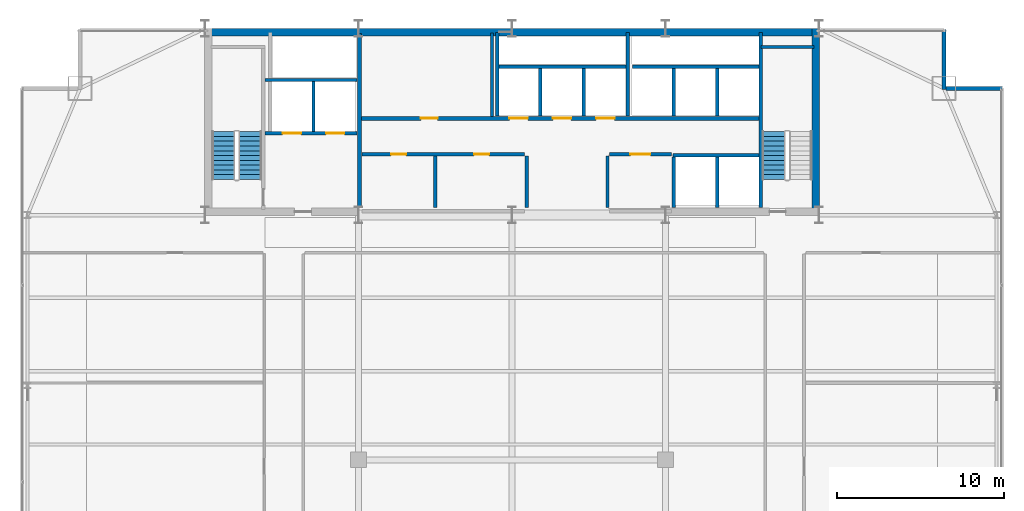
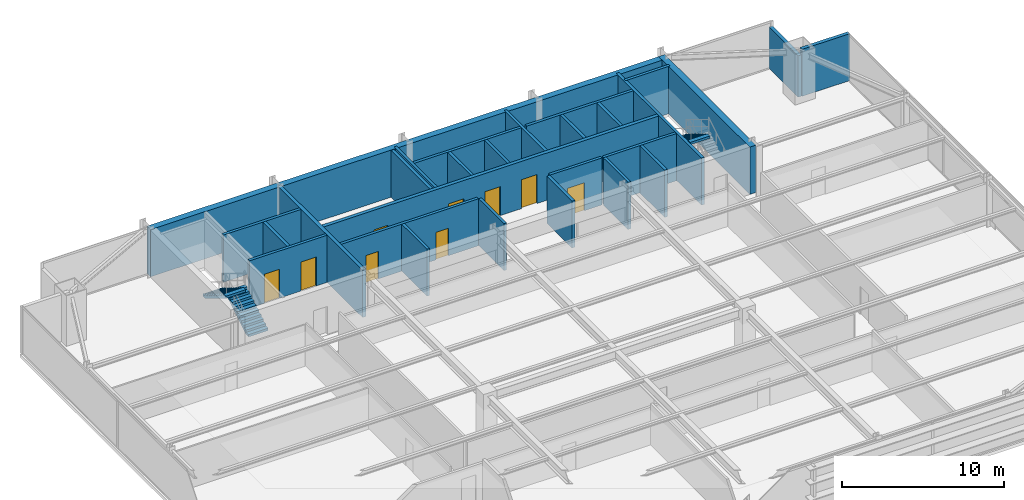
# One storey, part 30 of 33: 28 walls, 9 doors, 3 stair flights, 9 openings, 2 elements without a shape of their own.
"""IFC4 building model written with IfcOpenShell, lengths in metres."""

from ifc_helpers import new_model, si_unit, direction, frame, frame_2d, origin, place, context, subcontext, project, spatial, polyline, rectangle, outline, extrude, source, transform, mapped, material, layer, layer_set, type_object, type_shapes, element, fill, aggregate, save


model = new_model("IFC4")

# Units and contexts
model_context = context("Model", 3, precision=1e-05, world=origin(), true_north=direction((0.0, 1.0)))
body_context = subcontext(model_context, "Body", "Model", "MODEL_VIEW")
ifc_project = project(units=[si_unit("LENGTHUNIT", "METRE"), si_unit("AREAUNIT", "SQUARE_METRE"), si_unit("VOLUMEUNIT", "CUBIC_METRE"), si_unit("PLANEANGLEUNIT", "RADIAN"), si_unit("MASSUNIT", "GRAM", prefix="KILO")], contexts=[model_context])

# Site, building, storey
site_placement = place(None, origin())
site = spatial("IfcSite", under=ifc_project, at=site_placement, CompositionType="ELEMENT")
building_placement = place(site_placement, origin())
building = spatial("IfcBuilding", under=site, at=building_placement, Name="Varnel Quay Broadcast Tower", CompositionType="ELEMENT")
storey_placement = place(building_placement, frame((0.0, 0.0, 129.60009765625)))
storey = spatial("IfcBuildingStorey", under=building, at=storey_placement, Name="L31", CompositionType="ELEMENT", Elevation=129.60009765625)

# Wall, openings, doors
ifc_material_1 = material(Name="Concrete CSA A23.3 C50/60", Category="concrete")
ifc_layer_1 = layer(ifc_material_1, 0.199951171875, Name="Concrete CSA A23.3 C50/60")
ifc_layer_set_1 = layer_set([ifc_layer_1], Name="Concrete CSA A23.3 C50/60")
wall_type_1 = type_object("IfcWallType", Name="Wall_CoreShaftShear200", PredefinedType="SHEAR", material=ifc_layer_set_1)
wall_1_placement = place(storey_placement, frame((19.199951171875, 40.5, 0.0), z_axis=(0.0, 0.0, 1.0), x_axis=(1.0, 0.0, 0.0)))
wall_1 = element("IfcWall", 1, at=wall_1_placement, inside=storey, type_object=wall_type_1, Name="L31 Firefighter Lift Shaft Front Wall", PredefinedType="SHEAR", context=body_context, shape_type="SweptSolid", body=[
    extrude(rectangle(XDim=5.52001953125, YDim=0.199951171875, at=frame_2d((2.760009765625, 0.0))), origin(), (0.0, 0.0, 1.0), 3.5498046875),
])
opening_1_placement = place(wall_1_placement, frame((1.050048828125, 0.0, 0.0)))
opening_1 = element("IfcOpeningElement", 2, at=opening_1_placement, cuts=wall_1, Name="Opening LD-L31-FE1", PredefinedType="OPENING", context=body_context, shape_type="SweptSolid", body=[
    extrude(rectangle(XDim=1.10009765625, YDim=2.179931640625, at=frame_2d((0.550048828125, 1.08984375))), frame((0.0, 0.10986328125, 0.0), z_axis=(0.0, -1.0, 0.0), x_axis=(1.0, 0.0, 0.0)), (0.0, 0.0, 1.0), 0.219970703125),
])
opening_2_placement = place(wall_1_placement, frame((3.64990234375, 0.0, 0.0)))
opening_2 = element("IfcOpeningElement", 3, at=opening_2_placement, cuts=wall_1, Name="Opening LD-L31-FE2", PredefinedType="OPENING", context=body_context, shape_type="SweptSolid", body=[
    extrude(rectangle(XDim=1.10009765625, YDim=2.179931640625, at=frame_2d((0.550048828125, 1.08984375))), frame((0.0, 0.10986328125, 0.0), z_axis=(0.0, -1.0, 0.0), x_axis=(1.0, 0.0, 0.0)), (0.0, 0.0, 1.0), 0.219970703125),
])
ifc_material_2 = material(Name="Brushed Bronze-Stainless Lift Car & Sliding Doors", Category="steel")
door_type_1 = type_object("IfcDoorType", Name="Door_LiftLanding1100", OperationType="SLIDING_TO_LEFT", PredefinedType="DOOR", material=ifc_material_2)
shared_shape_1 = source(origin(), body_context, "Body", "SweptSolid", [
    extrude(rectangle(XDim=1.10009765625, YDim=2.179931640625, at=frame_2d((0.550048828125, 1.08984375))), frame((0.0, 0.02490234375, 0.0), z_axis=(0.0, -1.0, 0.0), x_axis=(1.0, 0.0, 0.0)), (0.0, 0.0, 1.0), 0.050048828125),
])
type_shapes(door_type_1, [shared_shape_1])
door_1_placement = place(opening_1_placement, frame((1.10009765625, 0.0, 0.0), z_axis=(0.0, 0.0, 1.0), x_axis=(-1.0, 0.0, 0.0)))
door_1 = element("IfcDoor", 4, at=door_1_placement, inside=storey, type_object=door_type_1, Name="L31 Firefighter Lift FE-01 Landing Door", OperationType="SLIDING_TO_LEFT", OverallHeight=2.179931640625, OverallWidth=1.10009765625, PredefinedType="DOOR", context=body_context, shape_type="MappedRepresentation", body=[
    mapped(shared_shape_1, transform((0.0, 0.0, 0.0), x_axis=(1.0, 0.0, 0.0), y_axis=(0.0, 1.0, 0.0), z_axis=(0.0, 0.0, 1.0), scale=1.0)),
])
fill(opening_1, door_1)
door_2_placement = place(opening_2_placement, frame((1.10009765625, 0.0, 0.0), z_axis=(0.0, 0.0, 1.0), x_axis=(-1.0, 0.0, 0.0)))
door_2 = element("IfcDoor", 5, at=door_2_placement, inside=storey, type_object=door_type_1, Name="L31 Firefighter Lift FE-02 Landing Door", OperationType="SLIDING_TO_RIGHT", OverallHeight=2.179931640625, OverallWidth=1.10009765625, PredefinedType="DOOR", context=body_context, shape_type="MappedRepresentation", body=[
    mapped(shared_shape_1, transform((0.0, 0.0, 0.0), x_axis=(1.0, 0.0, 0.0), y_axis=(0.0, 1.0, 0.0), z_axis=(0.0, 0.0, 1.0), scale=1.0)),
])
fill(opening_2, door_2)

# Walls
wall_2_placement = place(storey_placement, frame((19.199951171875, 43.699951171875, 0.0), z_axis=(0.0, 0.0, 1.0), x_axis=(1.0, 0.0, 0.0)))
element("IfcWall", 6, at=wall_2_placement, inside=storey, type_object=wall_type_1, Name="L31 Firefighter Lift Shaft Rear Wall", PredefinedType="SHEAR", context=body_context, shape_type="SweptSolid", body=[
    extrude(rectangle(XDim=5.52001953125, YDim=0.199951171875, at=frame_2d((2.760009765625, 0.0))), origin(), (0.0, 0.0, 1.0), 3.5498046875),
])
wall_3_placement = place(storey_placement, frame((22.10009765625, 40.60009765625, 0.0), z_axis=(0.0, 0.0, 1.0), x_axis=(0.0, 1.0, 0.0)))
element("IfcWall", 7, at=wall_3_placement, inside=storey, type_object=wall_type_1, Name="L31 Firefighter Lift Shaft Divider", PredefinedType="SHEAR", context=body_context, shape_type="SweptSolid", body=[
    extrude(rectangle(XDim=3.0, YDim=0.199951171875, at=frame_2d((1.5, 0.0))), origin(), (0.0, 0.0, 1.0), 3.5498046875),
])
wall_4_placement = place(storey_placement, frame((48.919921875, 36.050048828125, 0.0), z_axis=(0.0, 0.0, 1.0), x_axis=(0.0, 1.0, 0.0)))
element("IfcWall", 8, at=wall_4_placement, inside=storey, type_object=wall_type_1, Name="L31 Stair 2 West Structural Wall", PredefinedType="SHEAR", context=body_context, shape_type="SweptSolid", body=[
    extrude(rectangle(XDim=10.5, YDim=0.199951171875, at=frame_2d((5.25, 0.0))), origin(), (0.0, 0.0, 1.0), 3.5498046875),
])
wall_5_placement = place(storey_placement, frame((48.919921875, 45.679931640625, 0.0), z_axis=(0.0, 0.0, 1.0), x_axis=(1.0, 0.0, 0.0)))
element("IfcWall", 9, at=wall_5_placement, inside=storey, type_object=wall_type_1, Name="L31 Stair 2 North Structural Wall", PredefinedType="SHEAR", context=body_context, shape_type="SweptSolid", body=[
    extrude(rectangle(XDim=3.18017578125, YDim=0.199951171875, at=frame_2d((1.590087890625, 0.0))), origin(), (0.0, 0.0, 1.0), 3.5498046875),
])
wall_6_placement = place(storey_placement, frame((33.219970703125, 44.5, 0.0), z_axis=(0.0, 0.0, 1.0), x_axis=(1.0, 0.0, 0.0)))
element("IfcWall", 10, at=wall_6_placement, inside=storey, type_object=wall_type_1, Name="L31 Mid-Rise Lift Shaft Rear Wall", PredefinedType="SHEAR", context=body_context, shape_type="SweptSolid", body=[
    extrude(rectangle(XDim=7.630126953125, YDim=0.199951171875, at=frame_2d((3.81494140625, 0.0))), origin(), (0.0, 0.0, 1.0), 3.5498046875),
])
wall_7_placement = place(storey_placement, frame((33.1201171875, 41.530029296875, 0.0), z_axis=(0.0, 0.0, 1.0), x_axis=(0.0, 1.0, 0.0)))
element("IfcWall", 11, at=wall_7_placement, inside=storey, type_object=wall_type_1, Name="L31 Mid-Rise Lift Shaft Divider 1", PredefinedType="SHEAR", context=body_context, shape_type="SweptSolid", body=[
    extrude(rectangle(XDim=5.02001953125, YDim=0.199951171875, at=frame_2d((2.510009765625, 0.0))), origin(), (0.0, 0.0, 1.0), 3.5498046875),
])
for number, where, z_axis, x_axis, name in (
    (12, (35.699951171875, 41.530029296875, 0.0), (0.0, 0.0, 1.0), (0.0, 1.0, 0.0), "L31 Mid-Rise Lift Shaft Divider 2"),
    (13, (38.300048828125, 41.530029296875, 0.0), (0.0, 0.0, 1.0), (0.0, 1.0, 0.0), "L31 Mid-Rise Lift Shaft Divider 3"),
):
    element("IfcWall", number, at=place(storey_placement, frame(where, z_axis=z_axis, x_axis=x_axis)), inside=storey, type_object=wall_type_1, Name=name, PredefinedType="SHEAR", context=body_context, shape_type="SweptSolid", body=[
        extrude(rectangle(XDim=2.869873046875, YDim=0.199951171875, at=frame_2d((1.43505859375, 0.0))), origin(), (0.0, 0.0, 1.0), 3.5498046875),
    ])
wall_8_placement = place(storey_placement, frame((40.949951171875, 41.530029296875, 0.0), z_axis=(0.0, 0.0, 1.0), x_axis=(0.0, 1.0, 0.0)))
element("IfcWall", 14, at=wall_8_placement, inside=storey, type_object=wall_type_1, Name="L31 Mid-Rise Lift Shaft Divider 4", PredefinedType="SHEAR", context=body_context, shape_type="SweptSolid", body=[
    extrude(rectangle(XDim=5.02001953125, YDim=0.199951171875, at=frame_2d((2.510009765625, 0.0))), origin(), (0.0, 0.0, 1.0), 3.5498046875),
])
wall_9_placement = place(storey_placement, frame((41.219970703125, 44.5, 0.0), z_axis=(0.0, 0.0, 1.0), x_axis=(1.0, 0.0, 0.0)))
element("IfcWall", 15, at=wall_9_placement, inside=storey, type_object=wall_type_1, Name="L31 High-Rise Lift Shaft Rear Wall", PredefinedType="SHEAR", context=body_context, shape_type="SweptSolid", body=[
    extrude(rectangle(XDim=7.580078125, YDim=0.199951171875, at=frame_2d((3.7900390625, 0.0))), origin(), (0.0, 0.0, 1.0), 3.5498046875),
])
for number, where, z_axis, x_axis, name in (
    (16, (43.699951171875, 41.530029296875, 0.0), (0.0, 0.0, 1.0), (0.0, 1.0, 0.0), "L31 High-Rise Lift Shaft Divider 2"),
    (17, (46.300048828125, 41.530029296875, 0.0), (0.0, 0.0, 1.0), (0.0, 1.0, 0.0), "L31 High-Rise Lift Shaft Divider 3"),
):
    element("IfcWall", number, at=place(storey_placement, frame(where, z_axis=z_axis, x_axis=x_axis)), inside=storey, type_object=wall_type_1, Name=name, PredefinedType="SHEAR", context=body_context, shape_type="SweptSolid", body=[
        extrude(rectangle(XDim=2.869873046875, YDim=0.199951171875, at=frame_2d((1.43505859375, 0.0))), origin(), (0.0, 0.0, 1.0), 3.5498046875),
    ])
for number, where, z_axis, x_axis, name in (
    (18, (43.699951171875, 36.050048828125, 0.0), (0.0, 0.0, 1.0), (0.0, 1.0, 0.0), "L31 Express Lift Shaft West Wall"),
    (19, (46.300048828125, 36.050048828125, 0.0), (0.0, 0.0, 1.0), (0.0, 1.0, 0.0), "L31 Express Lift Shaft Divider"),
):
    element("IfcWall", number, at=place(storey_placement, frame(where, z_axis=z_axis, x_axis=x_axis)), inside=storey, type_object=wall_type_1, Name=name, PredefinedType="SHEAR", context=body_context, shape_type="SweptSolid", body=[
        extrude(rectangle(XDim=3.050048828125, YDim=0.199951171875, at=frame_2d((1.52490234375, 0.0))), origin(), (0.0, 0.0, 1.0), 3.5498046875),
    ])
wall_10_placement = place(storey_placement, frame((43.64990234375, 39.199951171875, 0.0), z_axis=(0.0, 0.0, 1.0), x_axis=(1.0, 0.0, 0.0)))
element("IfcWall", 20, at=wall_10_placement, inside=storey, type_object=wall_type_1, Name="L31 Express Lift Shaft North Front Wall", PredefinedType="SHEAR", context=body_context, shape_type="SweptSolid", body=[
    extrude(rectangle(XDim=5.150146484375, YDim=0.199951171875, at=frame_2d((2.5751953125, 0.0))), origin(), (0.0, 0.0, 1.0), 3.5498046875),
])
ifc_layer_2 = layer(ifc_material_1, 0.25, Name="Concrete CSA A23.3 C50/60")
ifc_layer_set_2 = layer_set([ifc_layer_2], Name="Concrete CSA A23.3 C50/60")
wall_type_2 = type_object("IfcWallType", Name="Wall_CoreShaftShear250", PredefinedType="SHEAR", material=ifc_layer_set_2)
wall_11_placement = place(storey_placement, frame((24.85009765625, 36.050048828125, 0.0), z_axis=(0.0, 0.0, 1.0), x_axis=(0.0, 1.0, 0.0)))
element("IfcWall", 21, at=wall_11_placement, inside=storey, type_object=wall_type_2, Name="L31 Firefighting Lobby East Structural Wall", PredefinedType="SHEAR", context=body_context, shape_type="SweptSolid", body=[
    extrude(rectangle(XDim=10.449951171875, YDim=0.25, at=frame_2d((5.22509765625, 0.0))), origin(), (0.0, 0.0, 1.0), 3.5498046875),
])

# Wall, openings, doors
wall_12_placement = place(storey_placement, frame((24.97998046875, 41.39990234375, 0.0), z_axis=(0.0, 0.0, 1.0), x_axis=(1.0, 0.0, 0.0)))
wall_12 = element("IfcWall", 22, at=wall_12_placement, inside=storey, type_object=wall_type_2, Name="L31 North Lift Bank & Reclaimed Suite Wall", PredefinedType="SHEAR", context=body_context, shape_type="SweptSolid", body=[
    extrude(rectangle(XDim=23.820068359375, YDim=0.25, at=frame_2d((11.91015625, 0.0))), origin(), (0.0, 0.0, 1.0), 3.5498046875),
])
opening_3_placement = place(wall_12_placement, frame((8.8701171875, 0.0, 0.0)))
opening_3 = element("IfcOpeningElement", 23, at=opening_3_placement, cuts=wall_12, Name="Opening LD-L31-PM-01", PredefinedType="OPENING", context=body_context, shape_type="SweptSolid", body=[
    extrude(rectangle(XDim=1.10009765625, YDim=2.179931640625, at=frame_2d((0.550048828125, 1.08984375))), frame((0.0, 0.135009765625, 0.0), z_axis=(0.0, -1.0, 0.0), x_axis=(1.0, 0.0, 0.0)), (0.0, 0.0, 1.0), 0.27001953125),
])
opening_4_placement = place(wall_12_placement, frame((11.469970703125, 0.0, 0.0)))
opening_4 = element("IfcOpeningElement", 24, at=opening_4_placement, cuts=wall_12, Name="Opening LD-L31-PM-02", PredefinedType="OPENING", context=body_context, shape_type="SweptSolid", body=[
    extrude(rectangle(XDim=1.10009765625, YDim=2.179931640625, at=frame_2d((0.550048828125, 1.08984375))), frame((0.0, 0.135009765625, 0.0), z_axis=(0.0, -1.0, 0.0), x_axis=(1.0, 0.0, 0.0)), (0.0, 0.0, 1.0), 0.27001953125),
])
opening_5_placement = place(wall_12_placement, frame((14.070068359375, 0.0, 0.0)))
opening_5 = element("IfcOpeningElement", 25, at=opening_5_placement, cuts=wall_12, Name="Opening LD-L31-PM-03", PredefinedType="OPENING", context=body_context, shape_type="SweptSolid", body=[
    extrude(rectangle(XDim=1.10009765625, YDim=2.179931640625, at=frame_2d((0.550048828125, 1.08984375))), frame((0.0, 0.135009765625, 0.0), z_axis=(0.0, -1.0, 0.0), x_axis=(1.0, 0.0, 0.0)), (0.0, 0.0, 1.0), 0.27001953125),
])
opening_6_placement = place(wall_12_placement, frame((3.56005859375, 0.0, 0.0)))
opening_6 = element("IfcOpeningElement", 26, at=opening_6_placement, cuts=wall_12, Name="Opening D-L31-RECA1", PredefinedType="OPENING", context=body_context, shape_type="SweptSolid", body=[
    extrude(rectangle(XDim=1.0, YDim=2.080078125, at=frame_2d((0.5, 1.0400390625))), frame((0.0, 0.135009765625, 0.0), z_axis=(0.0, -1.0, 0.0), x_axis=(1.0, 0.0, 0.0)), (0.0, 0.0, 1.0), 0.27001953125),
])
door_3_placement = place(opening_3_placement, frame((1.10009765625, 0.0, 0.0), z_axis=(0.0, 0.0, 1.0), x_axis=(-1.0, 0.0, 0.0)))
door_3 = element("IfcDoor", 27, at=door_3_placement, inside=storey, type_object=door_type_1, Name="L31 Lift PM-01 Landing Door", OperationType="SLIDING_TO_LEFT", OverallHeight=2.179931640625, OverallWidth=1.10009765625, PredefinedType="DOOR", context=body_context, shape_type="MappedRepresentation", body=[
    mapped(shared_shape_1, transform((0.0, 0.0, 0.0), x_axis=(1.0, 0.0, 0.0), y_axis=(0.0, 1.0, 0.0), z_axis=(0.0, 0.0, 1.0), scale=1.0)),
])
fill(opening_3, door_3)
door_4_placement = place(opening_4_placement, frame((1.10009765625, 0.0, 0.0), z_axis=(0.0, 0.0, 1.0), x_axis=(-1.0, 0.0, 0.0)))
door_4 = element("IfcDoor", 28, at=door_4_placement, inside=storey, type_object=door_type_1, Name="L31 Lift PM-02 Landing Door", OperationType="SLIDING_TO_LEFT", OverallHeight=2.179931640625, OverallWidth=1.10009765625, PredefinedType="DOOR", context=body_context, shape_type="MappedRepresentation", body=[
    mapped(shared_shape_1, transform((0.0, 0.0, 0.0), x_axis=(1.0, 0.0, 0.0), y_axis=(0.0, 1.0, 0.0), z_axis=(0.0, 0.0, 1.0), scale=1.0)),
])
fill(opening_4, door_4)
door_5_placement = place(opening_5_placement, frame((1.10009765625, 0.0, 0.0), z_axis=(0.0, 0.0, 1.0), x_axis=(-1.0, 0.0, 0.0)))
door_5 = element("IfcDoor", 29, at=door_5_placement, inside=storey, type_object=door_type_1, Name="L31 Lift PM-03 Landing Door", OperationType="SLIDING_TO_LEFT", OverallHeight=2.179931640625, OverallWidth=1.10009765625, PredefinedType="DOOR", context=body_context, shape_type="MappedRepresentation", body=[
    mapped(shared_shape_1, transform((0.0, 0.0, 0.0), x_axis=(1.0, 0.0, 0.0), y_axis=(0.0, 1.0, 0.0), z_axis=(0.0, 0.0, 1.0), scale=1.0)),
])
fill(opening_5, door_5)
ifc_material_3 = material(Name="Insulated Fire-Rated Hollow Steel Door", Category="steel")
door_type_2 = type_object("IfcDoorType", Name="Door_FireLobby1000", OperationType="NOTDEFINED", PredefinedType="DOOR", material=ifc_material_3)
shared_shape_2 = source(origin(), body_context, "Body", "SweptSolid", [
    extrude(rectangle(XDim=1.0, YDim=2.080078125, at=frame_2d((0.5, 1.0400390625))), frame((0.0, 0.02490234375, 0.0), z_axis=(0.0, -1.0, 0.0), x_axis=(1.0, 0.0, 0.0)), (0.0, 0.0, 1.0), 0.050048828125),
])
type_shapes(door_type_2, [shared_shape_2])
door_6_placement = place(opening_6_placement, origin())
door_6 = element("IfcDoor", 30, at=door_6_placement, inside=storey, type_object=door_type_2, Name="L31 Broadcast Ingest Server Hall Door", OperationType="SINGLE_SWING_RIGHT", OverallHeight=2.080078125, OverallWidth=1.0, PredefinedType="DOOR", context=body_context, shape_type="MappedRepresentation", body=[
    mapped(shared_shape_2, transform((0.0, 0.0, 0.0), x_axis=(1.0, 0.0, 0.0), y_axis=(0.0, 1.0, 0.0), z_axis=(0.0, 0.0, 1.0), scale=1.0)),
])
fill(opening_6, door_6)

# Walls
ifc_material_4 = material(Name="Concrete CSA A23.3 C60/75", Category="concrete")
ifc_layer_3 = layer(ifc_material_4, 0.449951171875, Name="Concrete CSA A23.3 C60/75")
ifc_layer_set_3 = layer_set([ifc_layer_3], Name="Concrete CSA A23.3 C60/75")
wall_type_3 = type_object("IfcWallType", Name="Wall_CoreShearExt450", PredefinedType="SHEAR", material=ifc_layer_set_3)
wall_13_placement = place(storey_placement, frame((15.60009765625, 46.574951171875, 0.0), z_axis=(0.0, 0.0, 1.0), x_axis=(1.0, 0.0, 0.0)))
element("IfcWall", 31, at=wall_13_placement, inside=storey, type_object=wall_type_3, Name="L31 North Core Shear Wall", PredefinedType="SHEAR", context=body_context, shape_type="SweptSolid", body=[
    extrude(rectangle(XDim=36.7998046875, YDim=0.449951171875, at=frame_2d((18.39990234375, 0.0))), origin(), (0.0, 0.0, 1.0), 3.5498046875),
])
ifc_layer_4 = layer(ifc_material_4, 0.449951171875, Name="Concrete CSA A23.3 C60/75")
ifc_layer_set_4 = layer_set([ifc_layer_4], Name="Concrete CSA A23.3 C60/75")
wall_type_4 = type_object("IfcWallType", Name="Wall_CoreShearInt450", PredefinedType="SHEAR", material=ifc_layer_set_4)
wall_14_placement = place(storey_placement, frame((52.205078125, 35.570068359375, 0.0), z_axis=(0.0, 0.0, 1.0), x_axis=(0.0, 1.0, 0.0)))
element("IfcWall", 32, at=wall_14_placement, inside=storey, type_object=wall_type_4, Name="L31 East Core Shear Wall", PredefinedType="SHEAR", context=body_context, shape_type="SweptSolid", body=[
    extrude(rectangle(XDim=11.22998046875, YDim=0.449951171875, at=frame_2d((5.614990234375, 0.0))), origin(), (0.0, 0.0, 1.0), 3.5498046875),
])
ifc_material_5 = material(Name="Precast Architectural Concrete C40/50", Category="concrete")
ifc_layer_5 = layer(ifc_material_5, 0.25, Name="Precast Architectural Concrete C40/50")
ifc_layer_set_5 = layer_set([ifc_layer_5], Name="Precast Architectural Concrete C40/50")
wall_type_5 = type_object("IfcWallType", Name="Wall_ExtTerrace250", PredefinedType="SOLIDWALL", material=ifc_layer_set_5)
wall_15_placement = place(storey_placement, frame((60.030029296875, 43.199951171875, 0.0), z_axis=(0.0, 0.0, 1.0), x_axis=(1.0, 0.0, 0.0)))
element("IfcWall", 33, at=wall_15_placement, inside=storey, type_object=wall_type_5, Name="L31 Mega-Column Notch Cladding Wall NNE1", PredefinedType="SOLIDWALL", context=body_context, shape_type="SweptSolid", body=[
    extrude(rectangle(XDim=3.389892578125, YDim=0.25, at=frame_2d((1.69482421875, 0.0))), origin(), (0.0, 0.0, 1.0), 3.52978515625),
])
wall_16_placement = place(storey_placement, frame((59.89990234375, 43.1201171875, 0.0), z_axis=(0.0, 0.0, 1.0), x_axis=(0.0, 1.0, 0.0)))
element("IfcWall", 34, at=wall_16_placement, inside=storey, type_object=wall_type_5, Name="L31 Mega-Column Notch Cladding Wall NNE2", PredefinedType="SOLIDWALL", context=body_context, shape_type="SweptSolid", body=[
    extrude(rectangle(XDim=3.599853515625, YDim=0.25, at=frame_2d((1.7998046875, 0.0))), origin(), (0.0, 0.0, 1.0), 3.10791015625),
])

# Wall, opening, door
ifc_material_6 = material(Name="Concrete Blockwork Fire Enclosure C40/50", Category="masonry")
ifc_layer_6 = layer(ifc_material_6, 0.199951171875, Name="Concrete Blockwork Fire Enclosure C40/50")
ifc_layer_set_6 = layer_set([ifc_layer_6], Name="Concrete Blockwork Fire Enclosure C40/50")
wall_type_6 = type_object("IfcWallType", Name="Wall_FireShaft200", PredefinedType="SOLIDWALL", material=ifc_layer_set_6)
wall_17_placement = place(storey_placement, frame((39.85009765625, 39.25, 0.0), z_axis=(0.0, 0.0, 1.0), x_axis=(1.0, 0.0, 0.0)))
wall_17 = element("IfcWall", 35, at=wall_17_placement, inside=storey, type_object=wall_type_6, Name="L31 Electrical Sub-Distribution Closet Partition 6", PredefinedType="SOLIDWALL", context=body_context, shape_type="SweptSolid", body=[
    extrude(rectangle(XDim=3.699951171875, YDim=0.199951171875, at=frame_2d((1.85009765625, 0.0))), origin(), (0.0, 0.0, 1.0), 3.52978515625),
])
opening_7_placement = place(wall_17_placement, frame((1.25, 0.0, 0.0)))
opening_7 = element("IfcOpeningElement", 36, at=opening_7_placement, cuts=wall_17, Name="Opening D-L31-03", PredefinedType="OPENING", context=body_context, shape_type="SweptSolid", body=[
    extrude(rectangle(XDim=1.199951171875, YDim=2.10009765625, at=frame_2d((0.60009765625, 1.050048828125))), frame((0.0, 0.10986328125, 0.0), z_axis=(0.0, -1.0, 0.0), x_axis=(1.0, 0.0, 0.0)), (0.0, 0.0, 1.0), 0.219970703125),
])
door_type_3 = type_object("IfcDoorType", Name="Door_Plant1200", OperationType="NOTDEFINED", PredefinedType="DOOR", material=ifc_material_3)
shared_shape_3 = source(origin(), body_context, "Body", "SweptSolid", [
    extrude(rectangle(XDim=1.199951171875, YDim=2.10009765625, at=frame_2d((0.60009765625, 1.050048828125))), frame((0.0, 0.02490234375, 0.0), z_axis=(0.0, -1.0, 0.0), x_axis=(1.0, 0.0, 0.0)), (0.0, 0.0, 1.0), 0.050048828125),
])
type_shapes(door_type_3, [shared_shape_3])
door_7_placement = place(opening_7_placement, origin())
door_7 = element("IfcDoor", 37, at=door_7_placement, inside=storey, type_object=door_type_3, Name="L31 Electrical Sub-Distribution Closet Door D-L31-03", OperationType="SINGLE_SWING_LEFT", OverallHeight=2.10009765625, OverallWidth=1.199951171875, PredefinedType="DOOR", context=body_context, shape_type="MappedRepresentation", body=[
    mapped(shared_shape_3, transform((0.0, 0.0, 0.0), x_axis=(1.0, 0.0, 0.0), y_axis=(0.0, 1.0, 0.0), z_axis=(0.0, 0.0, 1.0), scale=1.0)),
])
fill(opening_7, door_7)

# Walls
wall_18_placement = place(storey_placement, frame((39.72509765625, 36.050048828125, 0.0), z_axis=(0.0, 0.0, 1.0), x_axis=(0.0, 1.0, 0.0)))
element("IfcWall", 38, at=wall_18_placement, inside=storey, type_object=wall_type_6, Name="L31 Electrical Sub-Distribution Closet Partition 7", PredefinedType="SOLIDWALL", context=body_context, shape_type="SweptSolid", body=[
    extrude(rectangle(XDim=3.099853515625, YDim=0.199951171875, at=frame_2d((1.5498046875, 0.0))), origin(), (0.0, 0.0, 1.0), 3.52978515625),
])
wall_19_placement = place(storey_placement, frame((32.800048828125, 41.5, 0.0), z_axis=(0.0, 0.0, 1.0), x_axis=(0.0, 1.0, 0.0)))
element("IfcWall", 39, at=wall_19_placement, inside=storey, type_object=wall_type_6, Name="L31 Broadcast Ingest Server Hall Partition 22", PredefinedType="SOLIDWALL", context=body_context, shape_type="SweptSolid", body=[
    extrude(rectangle(XDim=5.02001953125, YDim=0.199951171875, at=frame_2d((2.510009765625, 0.0))), origin(), (0.0, 0.0, 1.0), 3.52978515625),
])
ifc_material_7 = material(Name="Fire-Rated Moisture-Resistant Plumbing Chase Partition")
ifc_layer_7 = layer(ifc_material_7, 0.199951171875, Name="Fire-Rated Moisture-Resistant Plumbing Chase Partition")
ifc_layer_set_7 = layer_set([ifc_layer_7], Name="Fire-Rated Moisture-Resistant Plumbing Chase Partition")
wall_type_7 = type_object("IfcWallType", Name="Wall_Plumbing200", PredefinedType="PLUMBINGWALL", material=ifc_layer_set_7)
wall_20_placement = place(storey_placement, frame((29.39990234375, 36.050048828125, 0.0), z_axis=(0.0, 0.0, 1.0), x_axis=(0.0, 1.0, 0.0)))
element("IfcWall", 40, at=wall_20_placement, inside=storey, type_object=wall_type_7, Name="L31 Accessible Washroom Partition 2", PredefinedType="PLUMBINGWALL", context=body_context, shape_type="SweptSolid", body=[
    extrude(rectangle(XDim=3.099853515625, YDim=0.199951171875, at=frame_2d((1.5498046875, 0.0))), origin(), (0.0, 0.0, 1.0), 3.52978515625),
])

# Wall, openings, doors
wall_21_placement = place(storey_placement, frame((25.0, 39.25, 0.0), z_axis=(0.0, 0.0, 1.0), x_axis=(1.0, 0.0, 0.0)))
wall_21 = element("IfcWall", 41, at=wall_21_placement, inside=storey, type_object=wall_type_7, Name="L31 Accessible Washroom Partition 3", PredefinedType="PLUMBINGWALL", context=body_context, shape_type="SweptSolid", body=[
    extrude(rectangle(XDim=9.75, YDim=0.199951171875, at=frame_2d((4.875, 0.0))), origin(), (0.0, 0.0, 1.0), 3.52978515625),
])
opening_8_placement = place(wall_21_placement, frame((1.75, 0.0, 0.0)))
opening_8 = element("IfcOpeningElement", 42, at=opening_8_placement, cuts=wall_21, Name="Opening D-L31-01", PredefinedType="OPENING", context=body_context, shape_type="SweptSolid", body=[
    extrude(rectangle(XDim=0.89990234375, YDim=2.06005859375, at=frame_2d((0.449951171875, 1.030029296875))), frame((0.0, 0.10986328125, 0.0), z_axis=(0.0, -1.0, 0.0), x_axis=(1.0, 0.0, 0.0)), (0.0, 0.0, 1.0), 0.219970703125),
])
opening_9_placement = place(wall_21_placement, frame((6.72509765625, 0.0, 0.0)))
opening_9 = element("IfcOpeningElement", 43, at=opening_9_placement, cuts=wall_21, Name="Opening D-L31-02", PredefinedType="OPENING", context=body_context, shape_type="SweptSolid", body=[
    extrude(rectangle(XDim=0.89990234375, YDim=2.06005859375, at=frame_2d((0.449951171875, 1.030029296875))), frame((0.0, 0.10986328125, 0.0), z_axis=(0.0, -1.0, 0.0), x_axis=(1.0, 0.0, 0.0)), (0.0, 0.0, 1.0), 0.219970703125),
])
ifc_material_8 = material(Name="Solid-Core Fire-Rated Acoustic Oak Veneer Door", Category="wood")
door_type_4 = type_object("IfcDoorType", Name="Door_Washroom900", OperationType="NOTDEFINED", PredefinedType="DOOR", material=ifc_material_8)
shared_shape_4 = source(origin(), body_context, "Body", "SweptSolid", [
    extrude(rectangle(XDim=0.89990234375, YDim=2.06005859375, at=frame_2d((0.449951171875, 1.030029296875))), frame((0.0, 0.02490234375, 0.0), z_axis=(0.0, -1.0, 0.0), x_axis=(1.0, 0.0, 0.0)), (0.0, 0.0, 1.0), 0.050048828125),
])
type_shapes(door_type_4, [shared_shape_4])
door_8_placement = place(opening_8_placement, frame((0.89990234375, 0.0, 0.0), z_axis=(0.0, 0.0, 1.0), x_axis=(-1.0, 0.0, 0.0)))
door_8 = element("IfcDoor", 44, at=door_8_placement, inside=storey, type_object=door_type_4, Name="L31 Accessible Washroom Door D-L31-01", OperationType="SINGLE_SWING_LEFT", OverallHeight=2.06005859375, OverallWidth=0.89990234375, PredefinedType="DOOR", context=body_context, shape_type="MappedRepresentation", body=[
    mapped(shared_shape_4, transform((0.0, 0.0, 0.0), x_axis=(1.0, 0.0, 0.0), y_axis=(0.0, 1.0, 0.0), z_axis=(0.0, 0.0, 1.0), scale=1.0)),
])
fill(opening_8, door_8)
door_9_placement = place(opening_9_placement, frame((0.89990234375, 0.0, 0.0), z_axis=(0.0, 0.0, 1.0), x_axis=(-1.0, 0.0, 0.0)))
door_9 = element("IfcDoor", 45, at=door_9_placement, inside=storey, type_object=door_type_4, Name="L31 Staff Washrooms Door D-L31-02", OperationType="SINGLE_SWING_RIGHT", OverallHeight=2.06005859375, OverallWidth=0.89990234375, PredefinedType="DOOR", context=body_context, shape_type="MappedRepresentation", body=[
    mapped(shared_shape_4, transform((0.0, 0.0, 0.0), x_axis=(1.0, 0.0, 0.0), y_axis=(0.0, 1.0, 0.0), z_axis=(0.0, 0.0, 1.0), scale=1.0)),
])
fill(opening_9, door_9)

# Wall
wall_22_placement = place(storey_placement, frame((34.875, 36.050048828125, 0.0), z_axis=(0.0, 0.0, 1.0), x_axis=(0.0, 1.0, 0.0)))
element("IfcWall", 46, at=wall_22_placement, inside=storey, type_object=wall_type_7, Name="L31 Staff Washrooms Partition 4", PredefinedType="PLUMBINGWALL", context=body_context, shape_type="SweptSolid", body=[
    extrude(rectangle(XDim=3.099853515625, YDim=0.199951171875, at=frame_2d((1.5498046875, 0.0))), origin(), (0.0, 0.0, 1.0), 3.52978515625),
])

# Stair, stair flights
ifc_material_9 = material(Name="Precast Structural Concrete C40/50", Category="concrete")
stair_type_1 = type_object("IfcStairType", Name="Stair_ST-01", PredefinedType="HALF_TURN_STAIR", material=ifc_material_9)
stair_1_placement = place(storey_placement, origin())
stair_1 = element("IfcStair", 47, at=stair_1_placement, inside=storey, type_object=stair_type_1, Name="L31 West Core Exit Stair 1", PredefinedType="HALF_TURN_STAIR")
stair_flight_type_1 = type_object("IfcStairFlightType", Name="Flight_ST-01", PredefinedType="STRAIGHT", material=ifc_material_9)
stair_flight_1_placement = place(storey_placement, frame((18.300048828125, 37.75, 0.0), z_axis=(0.0, 0.0, 1.0), x_axis=(0.0, 1.0, 0.0)))
stair_flight_1 = element("IfcStairFlight", 48, at=stair_flight_1_placement, type_object=stair_flight_type_1, Name="ST-01 flight 1", NumberOfRisers=11, NumberOfTreads=10, PredefinedType="STRAIGHT", RiserHeight=0.172727273, TreadLength=0.285, context=body_context, shape_type="SweptSolid", body=[
    extrude(outline(polyline([(0.0, 0.0), (0.0, 0.172607421875), (0.284912109375, 0.172607421875), (0.284912109375, 0.345458984375), (0.570068359375, 0.345458984375), (0.570068359375, 0.51806640625), (0.85498046875, 0.51806640625), (0.85498046875, 0.69091796875), (1.139892578125, 0.69091796875), (1.139892578125, 0.863525390625), (1.425048828125, 0.863525390625), (1.425048828125, 1.036376953125), (1.7099609375, 1.036376953125), (1.7099609375, 1.208984375), (1.9951171875, 1.208984375), (1.9951171875, 1.3818359375), (2.280029296875, 1.3818359375), (2.280029296875, 1.554443359375), (2.56494140625, 1.554443359375), (2.56494140625, 1.727294921875), (2.85009765625, 1.727294921875), (2.85009765625, 1.89990234375), (2.85009765625, 1.552001953125), (0.289306640625, 0.0), (0.0, 0.0)])), frame((0.0, 0.699951171875, 0.0), z_axis=(0.0, -1.0, 0.0), x_axis=(1.0, 0.0, 0.0)), (0.0, 0.0, 1.0), 1.39990234375),
])
stair_flight_2_placement = place(storey_placement, frame((16.699951171875, 40.60009765625, 1.89990234375), z_axis=(0.0, 0.0, 1.0), x_axis=(0.0, -1.0, 0.0)))
stair_flight_2 = element("IfcStairFlight", 49, at=stair_flight_2_placement, type_object=stair_flight_type_1, Name="ST-01 flight 2", NumberOfRisers=11, NumberOfTreads=10, PredefinedType="STRAIGHT", RiserHeight=0.172727273, TreadLength=0.285, context=body_context, shape_type="SweptSolid", body=[
    extrude(outline(polyline([(0.0, 0.0), (0.0, 0.172607421875), (0.284912109375, 0.172607421875), (0.284912109375, 0.345458984375), (0.570068359375, 0.345458984375), (0.570068359375, 0.51806640625), (0.85498046875, 0.51806640625), (0.85498046875, 0.69091796875), (1.139892578125, 0.69091796875), (1.139892578125, 0.863525390625), (1.425048828125, 0.863525390625), (1.425048828125, 1.036376953125), (1.7099609375, 1.036376953125), (1.7099609375, 1.208984375), (1.9951171875, 1.208984375), (1.9951171875, 1.3818359375), (2.280029296875, 1.3818359375), (2.280029296875, 1.554443359375), (2.56494140625, 1.554443359375), (2.56494140625, 1.727294921875), (2.85009765625, 1.727294921875), (2.85009765625, 1.89990234375), (2.85009765625, 1.552001953125), (0.289306640625, 0.0), (0.0, 0.0)])), frame((0.0, 0.699951171875, 0.0), z_axis=(0.0, -1.0, 0.0), x_axis=(1.0, 0.0, 0.0)), (0.0, 0.0, 1.0), 1.39990234375),
])
aggregate(stair_1, [stair_flight_1, stair_flight_2])

# Stair, stair flight
stair_type_2 = type_object("IfcStairType", Name="Stair_ST-02", PredefinedType="HALF_TURN_STAIR", material=ifc_material_9)
stair_2_placement = place(storey_placement, origin())
stair_2 = element("IfcStair", 50, at=stair_2_placement, inside=storey, type_object=stair_type_2, Name="L31 East Core Exit Stair 2", PredefinedType="HALF_TURN_STAIR")
stair_flight_type_2 = type_object("IfcStairFlightType", Name="Flight_ST-02", PredefinedType="STRAIGHT", material=ifc_material_9)
stair_flight_3_placement = place(storey_placement, frame((49.699951171875, 40.60009765625, 1.89990234375), z_axis=(0.0, 0.0, 1.0), x_axis=(0.0, -1.0, 0.0)))
stair_flight_3 = element("IfcStairFlight", 51, at=stair_flight_3_placement, type_object=stair_flight_type_2, Name="ST-02 flight 2", NumberOfRisers=11, NumberOfTreads=10, PredefinedType="STRAIGHT", RiserHeight=0.172727273, TreadLength=0.285, context=body_context, shape_type="SweptSolid", body=[
    extrude(outline(polyline([(0.0, 0.0), (0.0, 0.172607421875), (0.284912109375, 0.172607421875), (0.284912109375, 0.345458984375), (0.570068359375, 0.345458984375), (0.570068359375, 0.51806640625), (0.85498046875, 0.51806640625), (0.85498046875, 0.69091796875), (1.139892578125, 0.69091796875), (1.139892578125, 0.863525390625), (1.425048828125, 0.863525390625), (1.425048828125, 1.036376953125), (1.7099609375, 1.036376953125), (1.7099609375, 1.208984375), (1.9951171875, 1.208984375), (1.9951171875, 1.3818359375), (2.280029296875, 1.3818359375), (2.280029296875, 1.554443359375), (2.56494140625, 1.554443359375), (2.56494140625, 1.727294921875), (2.85009765625, 1.727294921875), (2.85009765625, 1.89990234375), (2.85009765625, 1.552001953125), (0.289306640625, 0.0), (0.0, 0.0)])), frame((0.0, 0.699951171875, 0.0), z_axis=(0.0, -1.0, 0.0), x_axis=(1.0, 0.0, 0.0)), (0.0, 0.0, 1.0), 1.39990234375),
])
aggregate(stair_2, [stair_flight_3])

save(model, "model.ifc")
